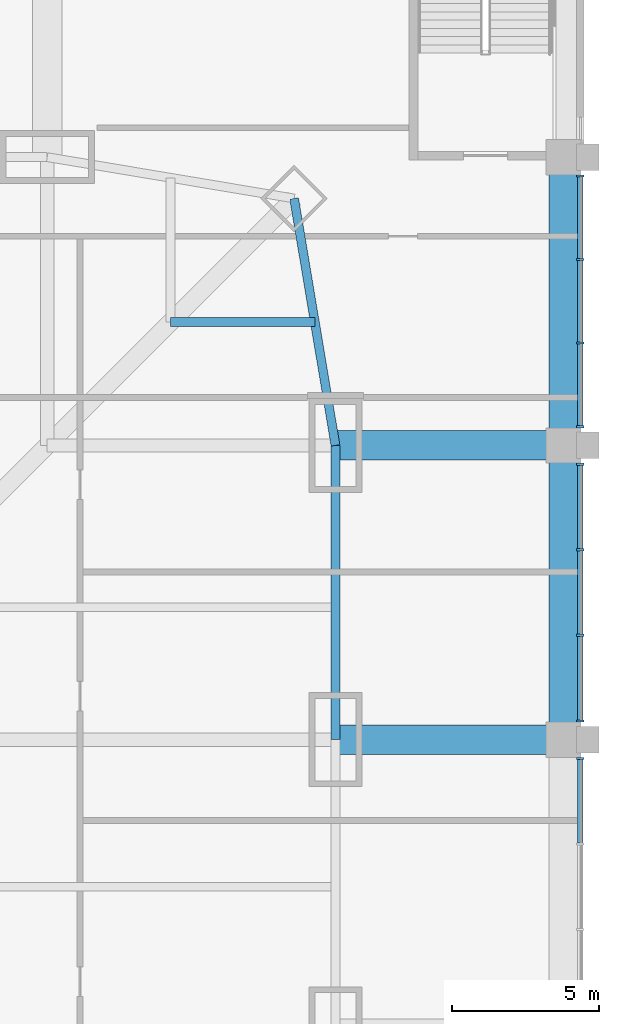
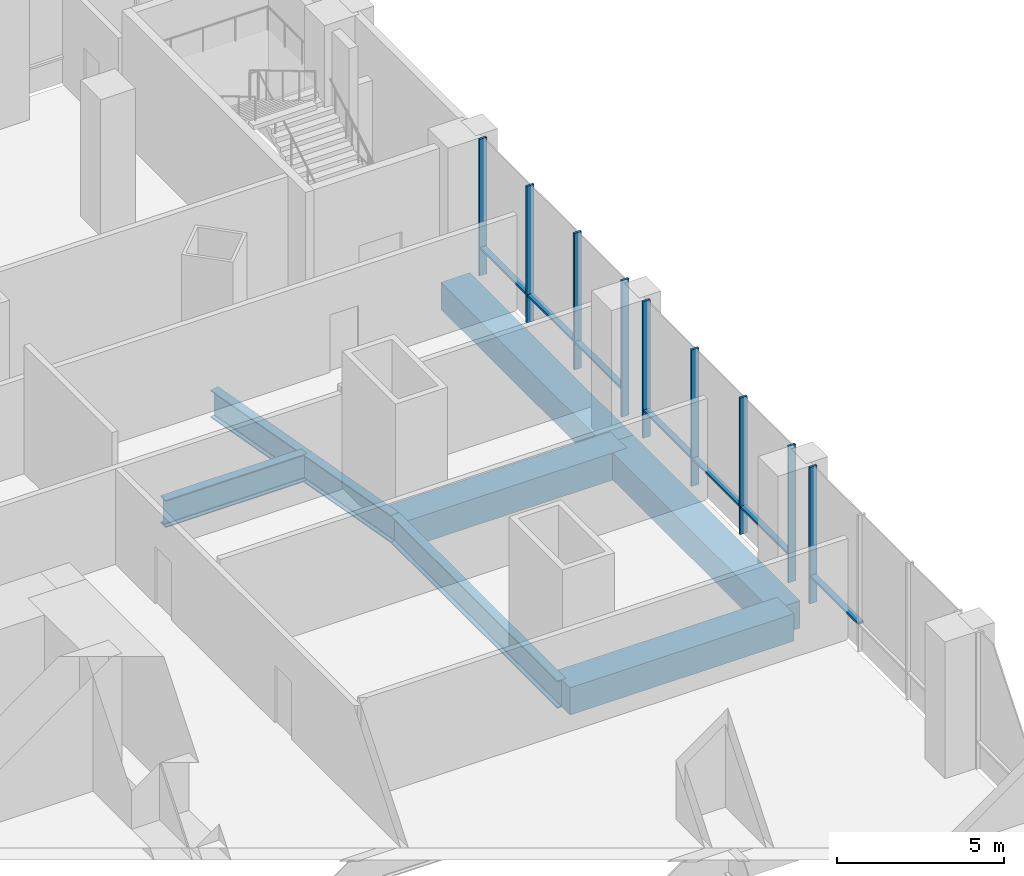
# One storey, part 9 of 24: 16 members, 7 beams, 3 elements without a shape of their own.
"""IFC4 building model written with IfcOpenShell, lengths in metres."""

import ifcopenshell
import ifcopenshell.guid

model = None  # the IFC model being written
_history = None  # IfcOwnerHistory: only IFC2X3 demands one
_inside = {}  # id of a spatial element -> (the spatial element, [elements in it])
_under = {}  # id of a project, library or spatial element -> (it, [spatial elements below it])
_declared = {}  # id of a project -> (the project, [libraries it declares])
_typed = {}  # id of a type object -> (the type object, [elements of that type])
_made_of = {}  # id of a material, layer set ... -> (it, [elements and type objects made of it])


def new_model(schema):
    """Start an empty IFC model of exactly this schema.

    Asked for "IFC4X3", IfcOpenShell would pick the latest addendum, in which some entities
    have other attributes; the version numbers below select the first issue.
    IFC2X3 requires an IfcOwnerHistory on every rooted entity: one is made here for all.
    """
    global model, _history
    if schema == "IFC4X3":
        model = ifcopenshell.file(schema_version=(4, 3, 0, 0))
    else:
        model = ifcopenshell.file(schema=schema)
    _inside.clear()
    _under.clear()
    _declared.clear()
    _typed.clear()
    _made_of.clear()
    _history = None
    if model.schema == "IFC2X3":
        org = make("IfcOrganization", Name="unknown")
        user = make(
            "IfcPersonAndOrganization",
            ThePerson=make("IfcPerson", FamilyName="unknown"),
            TheOrganization=org,
        )
        app = make(
            "IfcApplication",
            ApplicationDeveloper=org,
            Version="unknown",
            ApplicationFullName="unknown",
            ApplicationIdentifier="unknown",
        )
        _history = make(
            "IfcOwnerHistory",
            OwningUser=user,
            OwningApplication=app,
            ChangeAction="ADDED",
            CreationDate=0,
        )
    return model


def make(cls, **values):
    """One entity of the class cls with the attributes given. An attribute that is None is left unset."""
    return model.create_entity(
        cls, **{name: value for name, value in values.items() if value is not None}
    )


def rooted(cls, **values):
    """An entity with a GlobalId (a new one), such as an element, a storey or a relation."""
    return make(cls, GlobalId=ifcopenshell.guid.new(), OwnerHistory=_history, **values)


def si_unit(unit_type, name, prefix=None):
    """IfcSIUnit, for example si_unit("LENGTHUNIT", "METRE", prefix="MILLI")."""
    return make("IfcSIUnit", UnitType=unit_type, Prefix=prefix, Name=name)


def assignment(units):
    """IfcUnitAssignment: the units of a project."""
    return None if units is None else make("IfcUnitAssignment", Units=units)


def point(xyz):
    """IfcCartesianPoint."""
    return None if xyz is None else make("IfcCartesianPoint", Coordinates=xyz)


def direction(xyz):
    """IfcDirection."""
    return None if xyz is None else make("IfcDirection", DirectionRatios=xyz)


def frame(location, z_axis=None, x_axis=None):
    """IfcAxis2Placement3D, a coordinate frame: its origin and axes. An axis left out is left unset."""
    return make(
        "IfcAxis2Placement3D",
        Location=point(location),
        Axis=direction(z_axis),
        RefDirection=direction(x_axis),
    )


def frame_2d(location, x_axis=None):
    """IfcAxis2Placement2D, a coordinate frame in the plane: its origin and x axis."""
    return make(
        "IfcAxis2Placement2D", Location=point(location), RefDirection=direction(x_axis)
    )


def origin():
    """The frame at (0, 0, 0) with its axes left unset."""
    return frame((0.0, 0.0, 0.0))


def origin_2d():
    """The frame at (0, 0) in the plane with its x axis left unset."""
    return frame_2d((0.0, 0.0))


def place(relative_to, where):
    """IfcLocalPlacement: puts the frame where relative to a parent placement (None: the world)."""
    return make(
        "IfcLocalPlacement", PlacementRelTo=relative_to, RelativePlacement=where
    )


def context(
    kind, dimensions, precision=None, world=None, true_north=None, identifier=None
):
    """IfcGeometricRepresentationContext, for example the 3D "Model" context."""
    return make(
        "IfcGeometricRepresentationContext",
        ContextIdentifier=identifier,
        ContextType=kind,
        CoordinateSpaceDimension=dimensions,
        Precision=precision,
        WorldCoordinateSystem=world,
        TrueNorth=true_north,
    )


def subcontext(parent, identifier, kind, view, scale=None):
    """IfcGeometricRepresentationSubContext, for example "Body" below "Model"."""
    return make(
        "IfcGeometricRepresentationSubContext",
        ContextIdentifier=identifier,
        ContextType=kind,
        ParentContext=parent,
        TargetScale=scale,
        TargetView=view,
    )


def project(units=None, contexts=None):
    """IfcProject with its units and contexts."""
    return rooted(
        "IfcProject",
        Name="project",
        RepresentationContexts=contexts,
        UnitsInContext=assignment(units),
    )


def spatial(cls, under=None, at=None, **own):
    """A site, building, storey or space (cls), placed at a placement, below another one or the project."""
    s = rooted(cls, ObjectPlacement=at, **own)
    if under is not None:
        _under.setdefault(under.id(), (under, []))[1].append(s)
    return s


def profile(cls, at=None, kind="AREA", **sizes):
    """A parametric profile (cls). Its sizes go by their IFC names, for example OverallWidth=200.0."""
    return make(cls, ProfileType=kind, Position=at, **sizes)


def rectangle(**sizes):
    """IfcRectangleProfileDef."""
    return profile("IfcRectangleProfileDef", **sizes)


def i_section(**sizes):
    """IfcIShapeProfileDef."""
    return profile("IfcIShapeProfileDef", **sizes)


def extrude(swept, where, along, depth):
    """IfcExtrudedAreaSolid: the profile swept, set in the frame where, extruded along a direction by depth."""
    return make(
        "IfcExtrudedAreaSolid",
        SweptArea=swept,
        Position=where,
        ExtrudedDirection=direction(along),
        Depth=depth,
    )


def shape(context_of_items, identifier, shape_type, items):
    """IfcShapeRepresentation: the items that make up one representation, for example the "Body"."""
    return make(
        "IfcShapeRepresentation",
        ContextOfItems=context_of_items,
        RepresentationIdentifier=identifier,
        RepresentationType=shape_type,
        Items=items,
    )


def material(Name=None, Category=None):
    """IfcMaterial."""
    return make("IfcMaterial", Name=Name, Category=Category)


def material_profile(
    of_material, cross_section, Name=None, Category=None, Priority=None
):
    """IfcMaterialProfile: a cross section and its material."""
    return make(
        "IfcMaterialProfile",
        Name=Name,
        Material=of_material,
        Profile=cross_section,
        Priority=Priority,
        Category=Category,
    )


def profile_set(profiles, Name=None, composite=None):
    """IfcMaterialProfileSet."""
    return make(
        "IfcMaterialProfileSet",
        Name=Name,
        MaterialProfiles=profiles,
        CompositeProfile=composite,
    )


def made_of(thing, what):
    """Note that an element or type object is made of a material, layer set ...; save() writes the relation."""
    if what is not None:
        _made_of.setdefault(what.id(), (what, []))[1].append(thing)
    return thing


def type_object(cls, material=None, **own):
    """A type object (cls), such as IfcWallType, which elements share."""
    return made_of(rooted(cls, **own), material)


def element(
    cls,
    number,
    at=None,
    inside=None,
    cuts=None,
    type_object=None,
    material=None,
    context=None,
    identifier="Body",
    shape_type=None,
    held_by="IfcProductDefinitionShape",
    body=None,
    shapes=None,
    **own,
):
    """One element of the class cls, such as IfcWall. Its Tag is "e" and its number.

    at: its placement. inside: the storey or other place that contains it. cuts: it is an
    opening in that element (IfcRelVoidsElement). A single representation is given by context,
    identifier, shape_type and body (its items); several are given by shapes. held_by: the class
    of the entity that holds the representations. save() writes the other relations.
    """
    e = rooted(cls, Tag="e%d" % number, ObjectPlacement=at, **own)
    if body is not None:
        shapes = [shape(context, identifier, shape_type, body)]
    if shapes is not None:
        e.Representation = make(held_by, Representations=shapes)
    if inside is not None:
        _inside.setdefault(inside.id(), (inside, []))[1].append(e)
    if cuts is not None:
        rooted(
            "IfcRelVoidsElement", RelatingBuildingElement=cuts, RelatedOpeningElement=e
        )
    if type_object is not None:
        _typed.setdefault(type_object.id(), (type_object, []))[1].append(e)
    return made_of(e, material)


def aggregate(whole, parts):
    """IfcRelAggregates: a whole, such as a stair, and the parts it consists of."""
    return rooted("IfcRelAggregates", RelatingObject=whole, RelatedObjects=parts)


def save(model, path):
    """Write the relations noted so far, then the file.

    IfcRelAggregates (storeys below a building ...), IfcRelContainedInSpatialStructure (elements
    in a storey), IfcRelDefinesByType, IfcRelAssociatesMaterial and IfcRelDeclares: one each for
    every whole, place, type object, material and project.
    """
    for whole, parts in _under.values():
        aggregate(whole, parts)
    for where, things in _inside.values():
        rooted(
            "IfcRelContainedInSpatialStructure",
            RelatedElements=things,
            RelatingStructure=where,
        )
    for kind, things in _typed.values():
        rooted("IfcRelDefinesByType", RelatedObjects=things, RelatingType=kind)
    for what, things in _made_of.values():
        rooted("IfcRelAssociatesMaterial", RelatedObjects=things, RelatingMaterial=what)
    for by, libraries in _declared.values():
        rooted("IfcRelDeclares", RelatingContext=by, RelatedDefinitions=libraries)
    model.write(path)


model = new_model("IFC4")

# Units and contexts
model_context = context("Model", 3, precision=1e-05, world=origin(), true_north=direction((0.0, 1.0)))
body_context = subcontext(model_context, "Body", "Model", "MODEL_VIEW")
ifc_project = project(units=[si_unit("LENGTHUNIT", "METRE"), si_unit("AREAUNIT", "SQUARE_METRE"), si_unit("VOLUMEUNIT", "CUBIC_METRE"), si_unit("PLANEANGLEUNIT", "RADIAN"), si_unit("MASSUNIT", "GRAM", prefix="KILO")], contexts=[model_context])

# Site, building, storey
site_placement = place(None, origin())
site = spatial("IfcSite", under=ifc_project, at=site_placement, CompositionType="ELEMENT")
building_placement = place(site_placement, origin())
building = spatial("IfcBuilding", under=site, at=building_placement, Name="Khuree Lantern Residences", CompositionType="ELEMENT")
storey_placement = place(building_placement, frame((0.0, 0.0, 6.0)))
storey = spatial("IfcBuildingStorey", under=building, at=storey_placement, Name="L01", CompositionType="ELEMENT", Elevation=6.0)

# Beams
ifc_material_1 = material(Name="Steel S355", Category="steel")
ifc_material_profile_1 = material_profile(ifc_material_1, i_section(OverallWidth=0.300048828125, OverallDepth=1.0, WebThickness=0.01904296875, FlangeThickness=0.035888671875, FilletRadius=0.030029296875, at=origin_2d()), Name="HE 1000 B")
ifc_profile_set_1 = profile_set([ifc_material_profile_1], Name="Steel S355")
beam_type_1 = type_object("IfcBeamType", Name="B-01 SECONDARY BEAM HE 1000 B", PredefinedType="BEAM", material=ifc_profile_set_1)
beam_1_placement = place(storey_placement, frame((29.09716796875, 24.197021484375, -0.800048828125), z_axis=(-1.0, 0.0, 0.0), x_axis=(0.0, -1.0, 0.0)))
element("IfcBeam", 1, at=beam_1_placement, inside=storey, type_object=beam_type_1, Name="Secondary beam E1", PredefinedType="BEAM", context=body_context, shape_type="SweptSolid", body=[
    extrude(i_section(OverallWidth=0.300048828125, OverallDepth=1.0, WebThickness=0.01904296875, FlangeThickness=0.035888671875, FilletRadius=0.030029296875, at=origin_2d()), origin(), (0.0, 0.0, 1.0), 4.900146484375),
])
ifc_material_profile_2 = material_profile(ifc_material_1, i_section(OverallWidth=0.300048828125, OverallDepth=1.0, WebThickness=0.01904296875, FlangeThickness=0.035888671875, FilletRadius=0.030029296875, at=origin_2d()), Name="HE 1000 B")
ifc_profile_set_2 = profile_set([ifc_material_profile_2], Name="Steel S355")
beam_type_2 = type_object("IfcBeamType", Name="E-01 SPANDREL BEAM HE 1000 B", PredefinedType="SPANDREL", material=ifc_profile_set_2)
beam_2_placement = place(storey_placement, frame((28.39404296875, 28.39404296875, -0.800048828125), z_axis=(0.165199022349, -0.986260251158, 0.0), x_axis=(0.986260251158, 0.165199022349, 0.0)))
element("IfcBeam", 2, at=beam_2_placement, inside=storey, type_object=beam_type_2, Name="Spandrel beam E1", PredefinedType="SPANDREL", context=body_context, shape_type="SweptSolid", body=[
    extrude(i_section(OverallWidth=0.300048828125, OverallDepth=1.0, WebThickness=0.01904296875, FlangeThickness=0.035888671875, FilletRadius=0.030029296875, at=origin_2d()), origin(), (0.0, 0.0, 1.0), 8.510986328125),
])
beam_3_placement = place(storey_placement, frame((29.800048828125, 20.0, -0.800048828125), z_axis=(0.0, -1.0, 0.0), x_axis=(1.0, 0.0, 0.0)))
element("IfcBeam", 3, at=beam_3_placement, inside=storey, type_object=beam_type_2, Name="Spandrel beam E2", PredefinedType="SPANDREL", context=body_context, shape_type="SweptSolid", body=[
    extrude(i_section(OverallWidth=0.300048828125, OverallDepth=1.0, WebThickness=0.01904296875, FlangeThickness=0.035888671875, FilletRadius=0.030029296875, at=origin_2d()), origin(), (0.0, 0.0, 1.0), 10.0),
])

# Curtain wall, member
ifc_material_2 = material(Name="Bronze anodised aluminium", Category="aluminium")
curtain_wall_type = type_object("IfcCurtainWallType", Name="CW-P PODIUM STOREFRONT CURTAIN WALL", PredefinedType="USERDEFINED", material=ifc_material_2)
curtain_wall_1_placement = place(storey_placement, origin())
curtain_wall_1 = element("IfcCurtainWall", 4, at=curtain_wall_1_placement, inside=storey, type_object=curtain_wall_type, Name="L01 EAST FACE BAY 4 STOREFRONT", ObjectType="Storefront curtain wall", PredefinedType="USERDEFINED")
ifc_material_profile_3 = material_profile(ifc_material_2, rectangle(XDim=0.074951171875, YDim=0.25, at=origin_2d()), Name="M5 75X250")
ifc_profile_set_3 = profile_set([ifc_material_profile_3], Name="Bronze anodised aluminium")
member_type_1 = type_object("IfcMemberType", Name="MULLION M5 STOREFRONT 75X250", PredefinedType="MULLION", material=ifc_profile_set_3)
member_1_placement = place(storey_placement, frame((38.125, 9.362548828125, 0.0), z_axis=(0.0, 0.0, 1.0), x_axis=(0.0, 1.0, 0.0)))
member_1 = element("IfcMember", 5, at=member_1_placement, type_object=member_type_1, Name="L01 EAST FACE BAY 4 MULLION 4", PredefinedType="MULLION", context=body_context, shape_type="SweptSolid", body=[
    extrude(rectangle(XDim=0.074951171875, YDim=0.25, at=origin_2d()), origin(), (0.0, 0.0, 1.0), 5.0),
])

# Curtain wall, members
curtain_wall_2_placement = place(storey_placement, origin())
curtain_wall_2 = element("IfcCurtainWall", 6, at=curtain_wall_2_placement, inside=storey, type_object=curtain_wall_type, Name="L01 EAST FACE BAY 5 STOREFRONT", ObjectType="Storefront curtain wall", PredefinedType="USERDEFINED")
member_2_placement = place(storey_placement, frame((38.125, 10.637451171875, 0.0), z_axis=(0.0, 0.0, 1.0), x_axis=(0.0, 1.0, 0.0)))
member_2 = element("IfcMember", 7, at=member_2_placement, type_object=member_type_1, Name="L01 EAST FACE BAY 5 MULLION 1", PredefinedType="MULLION", context=body_context, shape_type="SweptSolid", body=[
    extrude(rectangle(XDim=0.074951171875, YDim=0.25, at=origin_2d()), origin(), (0.0, 0.0, 1.0), 5.0),
])
member_3_placement = place(storey_placement, frame((38.125, 13.5458984375, 0.0), z_axis=(0.0, 0.0, 1.0), x_axis=(0.0, 1.0, 0.0)))
member_3 = element("IfcMember", 8, at=member_3_placement, type_object=member_type_1, Name="L01 EAST FACE BAY 5 MULLION 2", PredefinedType="MULLION", context=body_context, shape_type="SweptSolid", body=[
    extrude(rectangle(XDim=0.074951171875, YDim=0.25, at=origin_2d()), origin(), (0.0, 0.0, 1.0), 5.0),
])
member_4_placement = place(storey_placement, frame((38.125, 16.4541015625, 0.0), z_axis=(0.0, 0.0, 1.0), x_axis=(0.0, 1.0, 0.0)))
member_4 = element("IfcMember", 9, at=member_4_placement, type_object=member_type_1, Name="L01 EAST FACE BAY 5 MULLION 3", PredefinedType="MULLION", context=body_context, shape_type="SweptSolid", body=[
    extrude(rectangle(XDim=0.074951171875, YDim=0.25, at=origin_2d()), origin(), (0.0, 0.0, 1.0), 5.0),
])
member_5_placement = place(storey_placement, frame((38.125, 19.362548828125, 0.0), z_axis=(0.0, 0.0, 1.0), x_axis=(0.0, 1.0, 0.0)))
member_5 = element("IfcMember", 10, at=member_5_placement, type_object=member_type_1, Name="L01 EAST FACE BAY 5 MULLION 4", PredefinedType="MULLION", context=body_context, shape_type="SweptSolid", body=[
    extrude(rectangle(XDim=0.074951171875, YDim=0.25, at=origin_2d()), origin(), (0.0, 0.0, 1.0), 5.0),
])

curtain_wall_3_placement = place(storey_placement, origin())
curtain_wall_3 = element("IfcCurtainWall", 11, at=curtain_wall_3_placement, inside=storey, type_object=curtain_wall_type, Name="L01 EAST FACE BAY 6 STOREFRONT", ObjectType="Storefront curtain wall", PredefinedType="USERDEFINED")
member_6_placement = place(storey_placement, frame((38.125, 20.637451171875, 0.0), z_axis=(0.0, 0.0, 1.0), x_axis=(0.0, 1.0, 0.0)))
member_6 = element("IfcMember", 12, at=member_6_placement, type_object=member_type_1, Name="L01 EAST FACE BAY 6 MULLION 1", PredefinedType="MULLION", context=body_context, shape_type="SweptSolid", body=[
    extrude(rectangle(XDim=0.074951171875, YDim=0.25, at=origin_2d()), origin(), (0.0, 0.0, 1.0), 5.0),
])
member_7_placement = place(storey_placement, frame((38.125, 23.479248046875, 0.0), z_axis=(0.0, 0.0, 1.0), x_axis=(0.0, 1.0, 0.0)))
member_7 = element("IfcMember", 13, at=member_7_placement, type_object=member_type_1, Name="L01 EAST FACE BAY 6 MULLION 2", PredefinedType="MULLION", context=body_context, shape_type="SweptSolid", body=[
    extrude(rectangle(XDim=0.074951171875, YDim=0.25, at=origin_2d()), origin(), (0.0, 0.0, 1.0), 5.0),
])
member_8_placement = place(storey_placement, frame((38.125, 26.32080078125, 0.0), z_axis=(0.0, 0.0, 1.0), x_axis=(0.0, 1.0, 0.0)))
member_8 = element("IfcMember", 14, at=member_8_placement, type_object=member_type_1, Name="L01 EAST FACE BAY 6 MULLION 3", PredefinedType="MULLION", context=body_context, shape_type="SweptSolid", body=[
    extrude(rectangle(XDim=0.074951171875, YDim=0.25, at=origin_2d()), origin(), (0.0, 0.0, 1.0), 5.0),
])
member_9_placement = place(storey_placement, frame((38.125, 29.16259765625, 0.0), z_axis=(0.0, 0.0, 1.0), x_axis=(0.0, 1.0, 0.0)))
member_9 = element("IfcMember", 15, at=member_9_placement, type_object=member_type_1, Name="L01 EAST FACE BAY 6 MULLION 4", PredefinedType="MULLION", context=body_context, shape_type="SweptSolid", body=[
    extrude(rectangle(XDim=0.074951171875, YDim=0.25, at=origin_2d()), origin(), (0.0, 0.0, 1.0), 5.0),
])

# Beams
ifc_material_3 = material(Name="Concrete C40/50", Category="concrete")
ifc_material_profile_4 = material_profile(ifc_material_3, rectangle(XDim=1.0, YDim=1.0, at=origin_2d()), Name="RC 1000X1000")
ifc_profile_set_4 = profile_set([ifc_material_profile_4], Name="Concrete C40/50")
beam_type_3 = type_object("IfcBeamType", Name="RB3 PODIUM BEAM RC 1000X1000", PredefinedType="BEAM", material=ifc_profile_set_4)
for number, where, z_axis, x_axis, name in (
    (16, (29.800048828125, 10.0, -0.800048828125), (1.0, 0.0, 0.0), (0.0, 1.0, 0.0), "Podium beam RB-8"),
    (17, (29.800048828125, 20.0, -0.800048828125), (1.0, 0.0, 0.0), (0.0, 1.0, 0.0), "Podium beam RB-10"),
):
    element("IfcBeam", number, at=place(storey_placement, frame(where, z_axis=z_axis, x_axis=x_axis)), inside=storey, type_object=beam_type_3, Name=name, PredefinedType="BEAM", context=body_context, shape_type="SweptSolid", body=[
        extrude(rectangle(XDim=1.0, YDim=1.0, at=origin_2d()), origin(), (0.0, 0.0, 1.0), 7.75),
    ])
beam_4_placement = place(storey_placement, frame((37.550048828125, 10.0, -0.800048828125), z_axis=(0.0, 1.0, 0.0), x_axis=(-1.0, 0.0, 0.0)))
element("IfcBeam", 18, at=beam_4_placement, inside=storey, type_object=beam_type_3, Name="Podium beam RB-49", PredefinedType="BEAM", context=body_context, shape_type="SweptSolid", body=[
    extrude(rectangle(XDim=1.0, YDim=1.0, at=origin_2d()), origin(), (0.0, 0.0, 1.0), 10.0),
])
beam_5_placement = place(storey_placement, frame((37.550048828125, 20.0, -0.800048828125), z_axis=(0.0, 1.0, 0.0), x_axis=(-1.0, 0.0, 0.0)))
element("IfcBeam", 19, at=beam_5_placement, inside=storey, type_object=beam_type_3, Name="Podium beam RB-50", PredefinedType="BEAM", context=body_context, shape_type="SweptSolid", body=[
    extrude(rectangle(XDim=1.0, YDim=1.0, at=origin_2d()), origin(), (0.0, 0.0, 1.0), 9.800048828125),
])

# Member
ifc_material_profile_5 = material_profile(ifc_material_2, rectangle(XDim=0.199951171875, YDim=0.074951171875, at=origin_2d()), Name="T5 200X75")
ifc_profile_set_5 = profile_set([ifc_material_profile_5], Name="Bronze anodised aluminium")
member_type_2 = type_object("IfcMemberType", Name="TRANSOM T5 STOREFRONT 200X75", PredefinedType="USERDEFINED", material=ifc_profile_set_5)
member_10_placement = place(storey_placement, frame((38.1201171875, 6.49169921875, 1.0), z_axis=(0.0, 1.0, 0.0), x_axis=(-1.0, 0.0, 0.0)))
member_10 = element("IfcMember", 20, at=member_10_placement, type_object=member_type_2, Name="L01 EAST FACE BAY 4 TRANSOM 3", ObjectType="Transom", PredefinedType="USERDEFINED", context=body_context, shape_type="SweptSolid", body=[
    extrude(rectangle(XDim=0.199951171875, YDim=0.074951171875, at=origin_2d()), origin(), (0.0, 0.0, 1.0), 2.833251953125),
])

aggregate(curtain_wall_1, [member_1, member_10])

member_11_placement = place(storey_placement, frame((38.1201171875, 10.675048828125, 1.0), z_axis=(0.0, 1.0, 0.0), x_axis=(-1.0, 0.0, 0.0)))
member_11 = element("IfcMember", 21, at=member_11_placement, type_object=member_type_2, Name="L01 EAST FACE BAY 5 TRANSOM 1", ObjectType="Transom", PredefinedType="USERDEFINED", context=body_context, shape_type="SweptSolid", body=[
    extrude(rectangle(XDim=0.199951171875, YDim=0.074951171875, at=origin_2d()), origin(), (0.0, 0.0, 1.0), 2.833251953125),
])

member_12_placement = place(storey_placement, frame((38.1201171875, 13.583251953125, 1.0), z_axis=(0.0, 1.0, 0.0), x_axis=(-1.0, 0.0, 0.0)))
member_12 = element("IfcMember", 22, at=member_12_placement, type_object=member_type_2, Name="L01 EAST FACE BAY 5 TRANSOM 2", ObjectType="Transom", PredefinedType="USERDEFINED", context=body_context, shape_type="SweptSolid", body=[
    extrude(rectangle(XDim=0.199951171875, YDim=0.074951171875, at=origin_2d()), origin(), (0.0, 0.0, 1.0), 2.83349609375),
])

member_13_placement = place(storey_placement, frame((38.1201171875, 16.49169921875, 1.0), z_axis=(0.0, 1.0, 0.0), x_axis=(-1.0, 0.0, 0.0)))
member_13 = element("IfcMember", 23, at=member_13_placement, type_object=member_type_2, Name="L01 EAST FACE BAY 5 TRANSOM 3", ObjectType="Transom", PredefinedType="USERDEFINED", context=body_context, shape_type="SweptSolid", body=[
    extrude(rectangle(XDim=0.199951171875, YDim=0.074951171875, at=origin_2d()), origin(), (0.0, 0.0, 1.0), 2.833251953125),
])

aggregate(curtain_wall_2, [member_2, member_3, member_4, member_5, member_11, member_12, member_13])

member_14_placement = place(storey_placement, frame((38.1201171875, 20.675048828125, 1.0), z_axis=(0.0, 1.0, 0.0), x_axis=(-1.0, 0.0, 0.0)))
member_14 = element("IfcMember", 24, at=member_14_placement, type_object=member_type_2, Name="L01 EAST FACE BAY 6 TRANSOM 1", ObjectType="Transom", PredefinedType="USERDEFINED", context=body_context, shape_type="SweptSolid", body=[
    extrude(rectangle(XDim=0.199951171875, YDim=0.074951171875, at=origin_2d()), origin(), (0.0, 0.0, 1.0), 2.7666015625),
])

member_15_placement = place(storey_placement, frame((38.1201171875, 23.5166015625, 1.0), z_axis=(0.0, 1.0, 0.0), x_axis=(-1.0, 0.0, 0.0)))
member_15 = element("IfcMember", 25, at=member_15_placement, type_object=member_type_2, Name="L01 EAST FACE BAY 6 TRANSOM 2", ObjectType="Transom", PredefinedType="USERDEFINED", context=body_context, shape_type="SweptSolid", body=[
    extrude(rectangle(XDim=0.199951171875, YDim=0.074951171875, at=origin_2d()), origin(), (0.0, 0.0, 1.0), 2.766845703125),
])

member_16_placement = place(storey_placement, frame((38.1201171875, 26.3583984375, 1.0), z_axis=(0.0, 1.0, 0.0), x_axis=(-1.0, 0.0, 0.0)))
member_16 = element("IfcMember", 26, at=member_16_placement, type_object=member_type_2, Name="L01 EAST FACE BAY 6 TRANSOM 3", ObjectType="Transom", PredefinedType="USERDEFINED", context=body_context, shape_type="SweptSolid", body=[
    extrude(rectangle(XDim=0.199951171875, YDim=0.074951171875, at=origin_2d()), origin(), (0.0, 0.0, 1.0), 2.7666015625),
])

aggregate(curtain_wall_3, [member_6, member_7, member_8, member_9, member_14, member_15, member_16])

save(model, "model.ifc")
